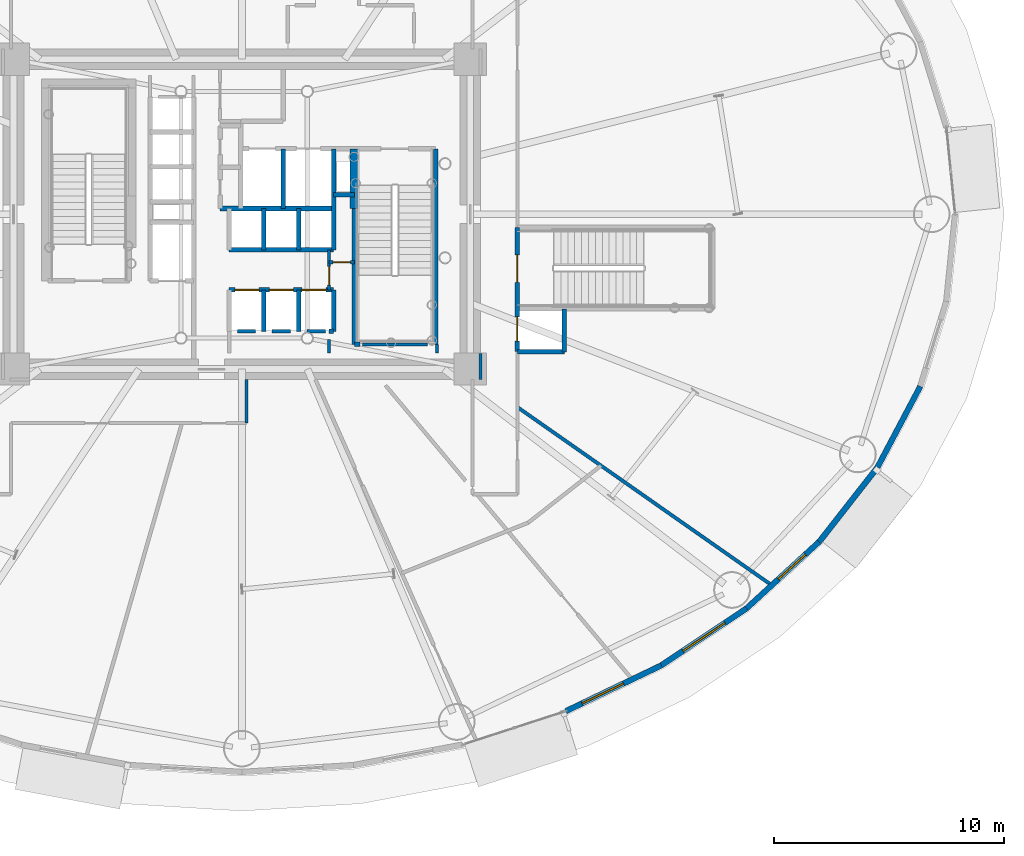
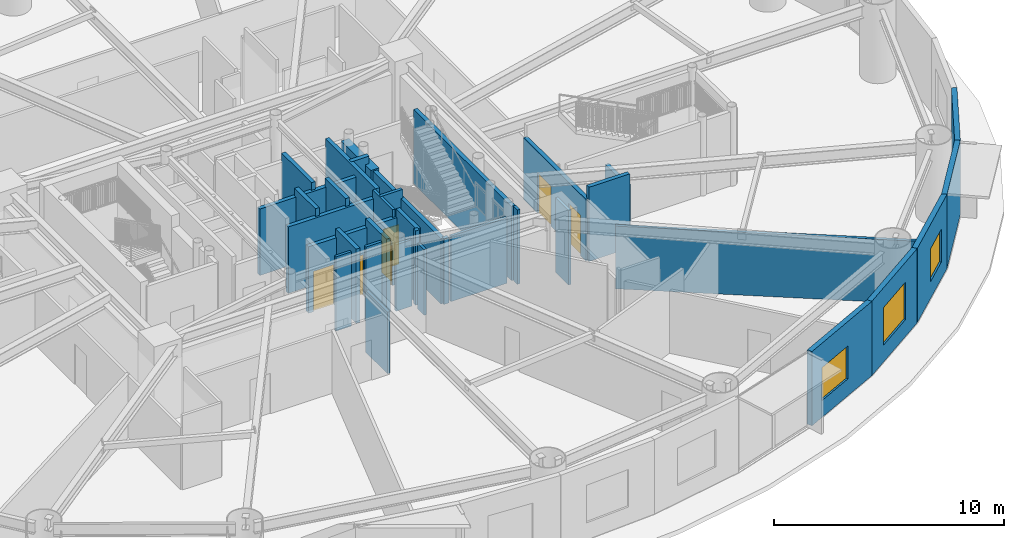
# One storey, part 21 of 35: 35 walls, 7 doors, 3 windows, 10 openings.
"""IFC4 building model written with IfcOpenShell, lengths in metres."""

from ifc_helpers import new_model, si_unit, direction, frame, frame_2d, origin, origin_2d, place, context, subcontext, project, spatial, rectangle, extrude, source, transform, mapped, material, layer, layer_set, type_object, element, fill, save


model = new_model("IFC4")

# Units and contexts
model_context = context("Model", 3, precision=1e-05, world=origin(), true_north=direction((0.0, 1.0)))
body_context = subcontext(model_context, "Body", "Model", "MODEL_VIEW")
ifc_project = project(units=[si_unit("LENGTHUNIT", "METRE"), si_unit("AREAUNIT", "SQUARE_METRE"), si_unit("VOLUMEUNIT", "CUBIC_METRE"), si_unit("PLANEANGLEUNIT", "RADIAN"), si_unit("MASSUNIT", "GRAM", prefix="KILO")], contexts=[model_context])

# Site, building, storey
site_placement = place(None, origin())
site = spatial("IfcSite", under=ifc_project, at=site_placement, CompositionType="ELEMENT")
building_placement = place(site_placement, origin())
building = spatial("IfcBuilding", under=site, at=building_placement, Name="Linh Dai School and Residence Tower", CompositionType="ELEMENT")
storey_placement = place(building_placement, frame((0.0, 0.0, 32.39990234375)))
storey = spatial("IfcBuildingStorey", under=building, at=storey_placement, Name="L07", CompositionType="ELEMENT", Elevation=32.39990234375)

# Wall, opening, window
ifc_material_1 = material(Name="Precast Concrete B45 (C35/45)", Category="concrete")
ifc_layer_1 = layer(ifc_material_1, 0.25)
ifc_layer_set_1 = layer_set([ifc_layer_1], Name="Precast Concrete B45 (C35/45)")
wall_type_1 = type_object("IfcWallType", Name="EW-TC-250", PredefinedType="SOLIDWALL", material=ifc_layer_set_1)
wall_1_placement = place(storey_placement, frame((54.277099609375, 7.34423828125, 0.0), z_axis=(0.0, 0.0, 1.0), x_axis=(-0.901601503137, -0.432567601123, 0.0)))
wall_1 = element("IfcWall", 1, at=wall_1_placement, inside=storey, type_object=wall_type_1, Name="L07 Terracotta Exterior Wall 34", PredefinedType="SOLIDWALL", context=body_context, shape_type="SweptSolid", body=[
    extrude(rectangle(XDim=4.61279296875, YDim=0.25, at=frame_2d((2.306396484375, 0.0))), origin(), (0.0, 0.0, 1.0), 3.9501953125),
])
opening_1_placement = place(wall_1_placement, frame((1.83349609375, 0.0, 0.89990234375)))
opening_1 = element("IfcOpeningElement", 2, at=opening_1_placement, cuts=wall_1, Name="Opening W1", PredefinedType="OPENING", context=body_context, shape_type="SweptSolid", body=[
    extrude(rectangle(XDim=2.0, YDim=1.75, at=origin_2d()), frame((1.0, 0.135009765625, 0.875), z_axis=(0.0, -1.0, 0.0), x_axis=(1.0, 0.0, 0.0)), (0.0, 0.0, 1.0), 0.27001953125),
])
ifc_material_2 = material(Name="Double Low-E Insulated Glazing", Category="glass")
window_type_1 = type_object("IfcWindowType", Name="WN-RES-2000x1750", PartitioningType="DOUBLE_PANEL_VERTICAL", PredefinedType="WINDOW", material=ifc_material_2)
shared_shape_1 = source(origin(), body_context, "Body", "SweptSolid", [
    extrude(rectangle(XDim=2.0, YDim=1.75, at=origin_2d()), frame((1.0, 0.030029296875, 0.875), z_axis=(0.0, -1.0, 0.0), x_axis=(1.0, 0.0, 0.0)), (0.0, 0.0, 1.0), 0.06005859375),
])
window_1_placement = place(opening_1_placement, origin())
window_1 = element("IfcWindow", 3, at=window_1_placement, inside=storey, type_object=window_type_1, Name="L07 Exterior Window 34.1", OverallHeight=1.75, OverallWidth=2.0, PartitioningType="DOUBLE_PANEL_VERTICAL", PredefinedType="WINDOW", context=body_context, shape_type="MappedRepresentation", body=[
    mapped(shared_shape_1, transform((0.0, 0.0, 0.0), x_axis=(1.0, 0.0, 0.0), y_axis=(0.0, 1.0, 0.0), z_axis=(0.0, 0.0, 1.0), scale=1.0)),
])
fill(opening_1, window_1)

wall_2_placement = place(storey_placement, frame((57.984619140625, 9.82373046875, 0.0), z_axis=(0.0, 0.0, 1.0), x_axis=(-0.831240982525, -0.555912249343, 0.0)))
wall_2 = element("IfcWall", 4, at=wall_2_placement, inside=storey, type_object=wall_type_1, Name="L07 Terracotta Exterior Wall 35", PredefinedType="SOLIDWALL", context=body_context, shape_type="SweptSolid", body=[
    extrude(rectangle(XDim=4.460205078125, YDim=0.25, at=frame_2d((2.22998046875, 0.0))), origin(), (0.0, 0.0, 1.0), 3.9501953125),
])
opening_2_placement = place(wall_2_placement, frame((1.13037109375, 0.0, 0.89990234375)))
opening_2 = element("IfcOpeningElement", 5, at=opening_2_placement, cuts=wall_2, Name="Opening W4", PredefinedType="OPENING", context=body_context, shape_type="SweptSolid", body=[
    extrude(rectangle(XDim=2.199951171875, YDim=2.0, at=origin_2d()), frame((1.10009765625, 0.135009765625, 1.0), z_axis=(0.0, -1.0, 0.0), x_axis=(1.0, 0.0, 0.0)), (0.0, 0.0, 1.0), 0.27001953125),
])
ifc_material_3 = material(Name="Acoustic Laminated Low-E Glazing", Category="glass")
window_type_2 = type_object("IfcWindowType", Name="WN-SCH-2200x2000", PartitioningType="TRIPLE_PANEL_VERTICAL", PredefinedType="WINDOW", material=ifc_material_3)
shared_shape_2 = source(origin(), body_context, "Body", "SweptSolid", [
    extrude(rectangle(XDim=2.199951171875, YDim=2.0, at=origin_2d()), frame((1.10009765625, 0.030029296875, 1.0), z_axis=(0.0, -1.0, 0.0), x_axis=(1.0, 0.0, 0.0)), (0.0, 0.0, 1.0), 0.06005859375),
])
window_2_placement = place(opening_2_placement, origin())
window_2 = element("IfcWindow", 6, at=window_2_placement, inside=storey, type_object=window_type_2, Name="L07 Exterior Window 35.1", OverallHeight=2.0, OverallWidth=2.199951171875, PartitioningType="TRIPLE_PANEL_VERTICAL", PredefinedType="WINDOW", context=body_context, shape_type="MappedRepresentation", body=[
    mapped(shared_shape_2, transform((0.0, 0.0, 0.0), x_axis=(1.0, 0.0, 0.0), y_axis=(0.0, 1.0, 0.0), z_axis=(0.0, 0.0, 1.0), scale=1.0)),
])
fill(opening_2, window_2)

wall_3_placement = place(storey_placement, frame((61.149658203125, 12.725341796875, 0.0), z_axis=(0.0, 0.0, 1.0), x_axis=(-0.737116376281, -0.67576582321, 0.0)))
wall_3 = element("IfcWall", 7, at=wall_3_placement, inside=storey, type_object=wall_type_1, Name="L07 Terracotta Exterior Wall 36", PredefinedType="SOLIDWALL", context=body_context, shape_type="SweptSolid", body=[
    extrude(rectangle(XDim=4.293701171875, YDim=0.25, at=frame_2d((2.14697265625, 0.0))), origin(), (0.0, 0.0, 1.0), 3.9501953125),
])
opening_3_placement = place(wall_3_placement, frame((0.80810546875, 0.0, 0.89990234375)))
opening_3 = element("IfcOpeningElement", 8, at=opening_3_placement, cuts=wall_3, Name="Opening W2", PredefinedType="OPENING", context=body_context, shape_type="SweptSolid", body=[
    extrude(rectangle(XDim=1.60009765625, YDim=1.75, at=origin_2d()), frame((0.800048828125, 0.135009765625, 0.875), z_axis=(0.0, -1.0, 0.0), x_axis=(1.0, 0.0, 0.0)), (0.0, 0.0, 1.0), 0.27001953125),
])
window_type_3 = type_object("IfcWindowType", Name="WN-RES-1600x1750", PartitioningType="DOUBLE_PANEL_VERTICAL", PredefinedType="WINDOW", material=ifc_material_2)
shared_shape_3 = source(origin(), body_context, "Body", "SweptSolid", [
    extrude(rectangle(XDim=1.60009765625, YDim=1.75, at=origin_2d()), frame((0.800048828125, 0.030029296875, 0.875), z_axis=(0.0, -1.0, 0.0), x_axis=(1.0, 0.0, 0.0)), (0.0, 0.0, 1.0), 0.06005859375),
])
window_3_placement = place(opening_3_placement, origin())
window_3 = element("IfcWindow", 9, at=window_3_placement, inside=storey, type_object=window_type_3, Name="L07 Exterior Window 36.1", OverallHeight=1.75, OverallWidth=1.60009765625, PartitioningType="DOUBLE_PANEL_VERTICAL", PredefinedType="WINDOW", context=body_context, shape_type="MappedRepresentation", body=[
    mapped(shared_shape_3, transform((0.0, 0.0, 0.0), x_axis=(1.0, 0.0, 0.0), y_axis=(0.0, 1.0, 0.0), z_axis=(0.0, 0.0, 1.0), scale=1.0)),
])
fill(opening_3, window_3)

# Walls
wall_4_placement = place(storey_placement, frame((63.694580078125, 15.977294921875, 0.0), z_axis=(0.0, 0.0, 1.0), x_axis=(-0.616295508253, -0.787514981767, 0.0)))
element("IfcWall", 10, at=wall_4_placement, inside=storey, type_object=wall_type_1, Name="L07 Terracotta Exterior Wall 37", PredefinedType="SOLIDWALL", context=body_context, shape_type="SweptSolid", body=[
    extrude(rectangle(XDim=4.12939453125, YDim=0.25, at=frame_2d((2.064697265625, 0.0))), origin(), (0.0, 0.0, 1.0), 3.9501953125),
])
wall_5_placement = place(storey_placement, frame((65.5576171875, 19.49853515625, 0.0), z_axis=(0.0, 0.0, 1.0), x_axis=(-0.467662443071, -0.883907144072, 0.0)))
element("IfcWall", 11, at=wall_5_placement, inside=storey, type_object=wall_type_1, Name="L07 Terracotta Exterior Wall 38", PredefinedType="SOLIDWALL", context=body_context, shape_type="SweptSolid", body=[
    extrude(rectangle(XDim=3.983642578125, YDim=0.25, at=frame_2d((1.99169921875, 0.0))), origin(), (0.0, 0.0, 1.0), 3.9501953125),
])
ifc_material_4 = material(Name="Autoclaved Aerated Concrete Blockwork", Category="masonry")
ifc_layer_2 = layer(ifc_material_4, 0.135009765625)
ifc_layer_set_2 = layer_set([ifc_layer_2], Name="Autoclaved Aerated Concrete Blockwork")
wall_type_2 = type_object("IfcWallType", Name="IW-CORR-135-EI90", PredefinedType="PARTITIONING", material=ifc_layer_set_2)
wall_6_placement = place(storey_placement, frame((36.199951171875, 17.89990234375, 0.0), z_axis=(0.0, 0.0, 1.0), x_axis=(0.0, 1.0, 0.0)))
element("IfcWall", 12, at=wall_6_placement, inside=storey, type_object=wall_type_2, Name="L07 Interior Partition Wall 039", PredefinedType="PARTITIONING", context=body_context, shape_type="SweptSolid", body=[
    extrude(rectangle(XDim=1.900146484375, YDim=0.135009765625, at=frame_2d((0.9501953125, 0.0))), origin(), (0.0, 0.0, 1.0), 3.28515625),
])

# Wall, opening, door
wall_7_placement = place(storey_placement, frame((39.800048828125, 23.699951171875, 0.0), z_axis=(0.0, 0.0, 1.0), x_axis=(0.0, 1.0, 0.0)))
wall_7 = element("IfcWall", 13, at=wall_7_placement, inside=storey, type_object=wall_type_2, Name="L07 Interior Partition Wall 048", PredefinedType="PARTITIONING", context=body_context, shape_type="SweptSolid", body=[
    extrude(rectangle(XDim=1.75, YDim=0.135009765625, at=frame_2d((0.875, 0.0))), origin(), (0.0, 0.0, 1.0), 3.9501953125),
])
opening_4_placement = place(wall_7_placement, frame((0.2099609375, 0.0, 0.0)))
opening_4 = element("IfcOpeningElement", 14, at=opening_4_placement, cuts=wall_7, Name="Opening D06", PredefinedType="OPENING", context=body_context, shape_type="SweptSolid", body=[
    extrude(rectangle(XDim=0.820068359375, YDim=2.10009765625, at=origin_2d()), frame((0.41015625, 0.07763671875, 1.050048828125), z_axis=(0.0, -1.0, 0.0), x_axis=(1.0, 0.0, 0.0)), (0.0, 0.0, 1.0), 0.155029296875),
])
ifc_material_5 = material(Name="Moisture-Resistant Timber Bathroom Door", Category="wood")
door_type_1 = type_object("IfcDoorType", Name="DR-WET-820x2100", OperationType="NOTDEFINED", PredefinedType="DOOR", material=ifc_material_5)
shared_shape_4 = source(origin(), body_context, "Body", "SweptSolid", [
    extrude(rectangle(XDim=0.820068359375, YDim=2.10009765625, at=origin_2d()), frame((0.41015625, 0.02490234375, 1.050048828125), z_axis=(0.0, -1.0, 0.0), x_axis=(1.0, 0.0, 0.0)), (0.0, 0.0, 1.0), 0.050048828125),
])
door_1_placement = place(opening_4_placement, origin())
door_1 = element("IfcDoor", 15, at=door_1_placement, inside=storey, type_object=door_type_1, Name="L07 SE Electrical Closet Door", OperationType="SINGLE_SWING_RIGHT", OverallHeight=2.10009765625, OverallWidth=0.820068359375, PredefinedType="DOOR", context=body_context, shape_type="MappedRepresentation", body=[
    mapped(shared_shape_4, transform((0.0, 0.0, 0.0), x_axis=(1.0, 0.0, 0.0), y_axis=(0.0, 1.0, 0.0), z_axis=(0.0, 0.0, 1.0), scale=1.0)),
])
fill(opening_4, door_1)

# Walls
wall_8_placement = place(storey_placement, frame((44.080078125, 21.330078125, 0.0), z_axis=(0.0, 0.0, 1.0), x_axis=(-1.0, 0.0, 0.0)))
element("IfcWall", 16, at=wall_8_placement, inside=storey, type_object=wall_type_2, Name="L07 Interior Partition Wall 071", PredefinedType="PARTITIONING", context=body_context, shape_type="SweptSolid", body=[
    extrude(rectangle(XDim=2.820068359375, YDim=0.135009765625, at=frame_2d((1.41015625, 0.0))), origin(), (0.0, 0.0, 1.0), 3.485107421875),
])
wall_9_placement = place(storey_placement, frame((36.60009765625, 21.89990234375, 0.0), z_axis=(0.0, 0.0, 1.0), x_axis=(-1.0, 0.0, 0.0)))
element("IfcWall", 17, at=wall_9_placement, inside=storey, type_object=wall_type_2, Name="L07 Interior Partition Wall 072", PredefinedType="PARTITIONING", context=body_context, shape_type="SweptSolid", body=[
    extrude(rectangle(XDim=0.7900390625, YDim=0.135009765625, at=frame_2d((0.39501953125, 0.0))), origin(), (0.0, 0.0, 1.0), 3.9501953125),
])
wall_10_placement = place(storey_placement, frame((38.1201171875, 21.89990234375, 0.0), z_axis=(0.0, 0.0, 1.0), x_axis=(-1.0, 0.0, 0.0)))
element("IfcWall", 18, at=wall_10_placement, inside=storey, type_object=wall_type_2, Name="L07 Interior Partition Wall 073", PredefinedType="PARTITIONING", context=body_context, shape_type="SweptSolid", body=[
    extrude(rectangle(XDim=0.800048828125, YDim=0.135009765625, at=frame_2d((0.39990234375, 0.0))), origin(), (0.0, 0.0, 1.0), 3.9501953125),
])
wall_11_placement = place(storey_placement, frame((39.639892578125, 21.89990234375, 0.0), z_axis=(0.0, 0.0, 1.0), x_axis=(-1.0, 0.0, 0.0)))
element("IfcWall", 19, at=wall_11_placement, inside=storey, type_object=wall_type_2, Name="L07 Interior Partition Wall 074", PredefinedType="PARTITIONING", context=body_context, shape_type="SweptSolid", body=[
    extrude(rectangle(XDim=0.7998046875, YDim=0.135009765625, at=frame_2d((0.39990234375, 0.0))), origin(), (0.0, 0.0, 1.0), 3.53515625),
])
wall_12_placement = place(storey_placement, frame((39.800048828125, 20.9599609375, 0.0), z_axis=(0.0, 0.0, 1.0), x_axis=(0.0, 1.0, 0.0)))
element("IfcWall", 20, at=wall_12_placement, inside=storey, type_object=wall_type_2, Name="L07 Interior Partition Wall 076", PredefinedType="PARTITIONING", context=body_context, shape_type="SweptSolid", body=[
    extrude(rectangle(XDim=0.580078125, YDim=0.135009765625, at=frame_2d((0.2900390625, 0.0))), origin(), (0.0, 0.0, 1.0), 3.485107421875),
])
wall_13_placement = place(storey_placement, frame((44.5, 20.9599609375, 0.0), z_axis=(0.0, 0.0, 1.0), x_axis=(0.0, 1.0, 0.0)))
element("IfcWall", 21, at=wall_13_placement, inside=storey, type_object=wall_type_2, Name="L07 Interior Partition Wall 078", PredefinedType="PARTITIONING", context=body_context, shape_type="SweptSolid", body=[
    extrude(rectangle(XDim=0.360107421875, YDim=0.135009765625, at=frame_2d((0.18017578125, 0.0))), origin(), (0.0, 0.0, 1.0), 3.9501953125),
])
wall_14_placement = place(storey_placement, frame((46.39990234375, 19.800048828125, 0.0), z_axis=(0.0, 0.0, 1.0), x_axis=(0.0, 1.0, 0.0)))
element("IfcWall", 22, at=wall_14_placement, inside=storey, type_object=wall_type_2, Name="L07 Interior Partition Wall 082", PredefinedType="PARTITIONING", context=body_context, shape_type="SweptSolid", body=[
    extrude(rectangle(XDim=1.139892578125, YDim=0.135009765625, at=frame_2d((0.56982421875, 0.0))), origin(), (0.0, 0.0, 1.0), 3.9501953125),
])

# Wall, opening, door
ifc_layer_3 = layer(ifc_material_4, 0.14990234375)
ifc_layer_set_3 = layer_set([ifc_layer_3], Name="Autoclaved Aerated Concrete Blockwork")
wall_type_3 = type_object("IfcWallType", Name="IW-SCH-150-EI60", PredefinedType="PARTITIONING", material=ifc_layer_set_3)
wall_15_placement = place(storey_placement, frame((39.800048828125, 24.89990234375, 0.0), z_axis=(0.0, 0.0, 1.0), x_axis=(1.0, 0.0, 0.0)))
wall_15 = element("IfcWall", 23, at=wall_15_placement, inside=storey, type_object=wall_type_3, Name="L07 Interior Partition Wall 049", PredefinedType="PARTITIONING", context=body_context, shape_type="SweptSolid", body=[
    extrude(rectangle(XDim=1.099853515625, YDim=0.14990234375, at=frame_2d((0.5498046875, 0.0))), origin(), (0.0, 0.0, 1.0), 3.9501953125),
])
opening_5_placement = place(wall_15_placement, frame((0.169921875, 0.0, 0.0)))
opening_5 = element("IfcOpeningElement", 24, at=opening_5_placement, cuts=wall_15, Name="Opening D08", PredefinedType="OPENING", context=body_context, shape_type="SweptSolid", body=[
    extrude(rectangle(XDim=0.760009765625, YDim=2.10009765625, at=origin_2d()), frame((0.3798828125, 0.0849609375, 1.050048828125), z_axis=(0.0, -1.0, 0.0), x_axis=(1.0, 0.0, 0.0)), (0.0, 0.0, 1.0), 0.169921875),
])
ifc_material_6 = material(Name="Engineered Timber Closet and Study Door", Category="wood")
door_type_2 = type_object("IfcDoorType", Name="DR-CMP-760x2100", OperationType="NOTDEFINED", PredefinedType="DOOR", material=ifc_material_6)
shared_shape_5 = source(origin(), body_context, "Body", "SweptSolid", [
    extrude(rectangle(XDim=0.760009765625, YDim=2.10009765625, at=origin_2d()), frame((0.3798828125, 0.02490234375, 1.050048828125), z_axis=(0.0, -1.0, 0.0), x_axis=(1.0, 0.0, 0.0)), (0.0, 0.0, 1.0), 0.050048828125),
])
door_2_placement = place(opening_5_placement, origin())
door_2 = element("IfcDoor", 25, at=door_2_placement, inside=storey, type_object=door_type_2, Name="L07 NE Equipment Store Door", OperationType="SINGLE_SWING_LEFT", OverallHeight=2.10009765625, OverallWidth=0.760009765625, PredefinedType="DOOR", context=body_context, shape_type="MappedRepresentation", body=[
    mapped(shared_shape_5, transform((0.0, 0.0, 0.0), x_axis=(1.0, 0.0, 0.0), y_axis=(0.0, 1.0, 0.0), z_axis=(0.0, 0.0, 1.0), scale=1.0)),
])
fill(opening_5, door_2)

# Walls
wall_16_placement = place(storey_placement, frame((48.0, 18.597412109375, 0.0), z_axis=(0.0, 0.0, 1.0), x_axis=(0.819149742045, -0.573579724283, 0.0)))
element("IfcWall", 26, at=wall_16_placement, inside=storey, type_object=wall_type_3, Name="L07 Interior Partition Wall 062", PredefinedType="PARTITIONING", context=body_context, shape_type="SweptSolid", body=[
    extrude(rectangle(XDim=13.539794921875, YDim=0.14990234375, at=frame_2d((6.77001953125, 0.0))), origin(), (0.0, 0.0, 1.0), 3.335205078125),
])
ifc_material_7 = material(Name="Concrete B45 (C35/45)", Category="concrete")
ifc_layer_4 = layer(ifc_material_7, 0.199951171875)
ifc_layer_set_4 = layer_set([ifc_layer_4], Name="Concrete B45 (C35/45)")
wall_type_4 = type_object("IfcWallType", Name="IW-SHAFT-200-EI120", PredefinedType="PARTITIONING", material=ifc_layer_set_4)
wall_17_placement = place(storey_placement, frame((35.050048828125, 27.25, 0.0), z_axis=(0.0, 0.0, 1.0), x_axis=(1.0, 0.0, 0.0)))
element("IfcWall", 27, at=wall_17_placement, inside=storey, type_object=wall_type_4, Name="L07 Interior Partition Wall 027", PredefinedType="PARTITIONING", context=body_context, shape_type="SweptSolid", body=[
    extrude(rectangle(XDim=4.949951171875, YDim=0.199951171875, at=frame_2d((2.47509765625, 0.0))), origin(), (0.0, 0.0, 1.0), 3.53515625),
])

# Wall, openings, doors
wall_18_placement = place(storey_placement, frame((35.449951171875, 23.699951171875, 0.0), z_axis=(0.0, 0.0, 1.0), x_axis=(1.0, 0.0, 0.0)))
wall_18 = element("IfcWall", 28, at=wall_18_placement, inside=storey, type_object=wall_type_4, Name="L07 Interior Partition Wall 033", PredefinedType="PARTITIONING", context=body_context, shape_type="SweptSolid", body=[
    extrude(rectangle(XDim=4.550048828125, YDim=0.199951171875, at=frame_2d((2.27490234375, 0.0))), origin(), (0.0, 0.0, 1.0), 3.53515625),
])
opening_6_placement = place(wall_18_placement, frame((0.25, 0.0, 0.0)))
opening_6 = element("IfcOpeningElement", 29, at=opening_6_placement, cuts=wall_18, Name="Opening LD-PL1", PredefinedType="OPENING", context=body_context, shape_type="SweptSolid", body=[
    extrude(rectangle(XDim=1.050048828125, YDim=2.14990234375, at=origin_2d()), frame((0.52490234375, 0.10986328125, 1.074951171875), z_axis=(0.0, -1.0, 0.0), x_axis=(1.0, 0.0, 0.0)), (0.0, 0.0, 1.0), 0.219970703125),
])
opening_7_placement = place(wall_18_placement, frame((1.7451171875, 0.0, 0.0)))
opening_7 = element("IfcOpeningElement", 30, at=opening_7_placement, cuts=wall_18, Name="Opening LD-PL2", PredefinedType="OPENING", context=body_context, shape_type="SweptSolid", body=[
    extrude(rectangle(XDim=1.050048828125, YDim=2.14990234375, at=origin_2d()), frame((0.52490234375, 0.10986328125, 1.074951171875), z_axis=(0.0, -1.0, 0.0), x_axis=(1.0, 0.0, 0.0)), (0.0, 0.0, 1.0), 0.219970703125),
])
opening_8_placement = place(wall_18_placement, frame((3.1650390625, 0.0, 0.0)))
opening_8 = element("IfcOpeningElement", 31, at=opening_8_placement, cuts=wall_18, Name="Opening LD-PL3", PredefinedType="OPENING", context=body_context, shape_type="SweptSolid", body=[
    extrude(rectangle(XDim=1.050048828125, YDim=2.14990234375, at=origin_2d()), frame((0.52490234375, 0.10986328125, 1.074951171875), z_axis=(0.0, -1.0, 0.0), x_axis=(1.0, 0.0, 0.0)), (0.0, 0.0, 1.0), 0.219970703125),
])
ifc_material_8 = material(Name="Brushed Stainless Steel Lift Landing Door", Category="steel")
door_type_3 = type_object("IfcDoorType", Name="DR-LD-PASS-1050x2150", OperationType="DOUBLE_DOOR_SLIDING", PredefinedType="USERDEFINED", material=ifc_material_8)
shared_shape_6 = source(origin(), body_context, "Body", "SweptSolid", [
    extrude(rectangle(XDim=1.050048828125, YDim=2.14990234375, at=origin_2d()), frame((0.52490234375, 0.02490234375, 1.074951171875), z_axis=(0.0, -1.0, 0.0), x_axis=(1.0, 0.0, 0.0)), (0.0, 0.0, 1.0), 0.050048828125),
])
door_3_placement = place(opening_6_placement, origin())
door_3 = element("IfcDoor", 32, at=door_3_placement, inside=storey, type_object=door_type_3, Name="L07 Lift PL1 Sliding Landing Door", ObjectType="LANDING DOOR", OperationType="DOUBLE_DOOR_SLIDING", OverallHeight=2.14990234375, OverallWidth=1.050048828125, PredefinedType="USERDEFINED", context=body_context, shape_type="MappedRepresentation", body=[
    mapped(shared_shape_6, transform((0.0, 0.0, 0.0), x_axis=(1.0, 0.0, 0.0), y_axis=(0.0, 1.0, 0.0), z_axis=(0.0, 0.0, 1.0), scale=1.0)),
])
fill(opening_6, door_3)
door_4_placement = place(opening_7_placement, origin())
door_4 = element("IfcDoor", 33, at=door_4_placement, inside=storey, type_object=door_type_3, Name="L07 Lift PL2 Sliding Landing Door", ObjectType="LANDING DOOR", OperationType="DOUBLE_DOOR_SLIDING", OverallHeight=2.14990234375, OverallWidth=1.050048828125, PredefinedType="USERDEFINED", context=body_context, shape_type="MappedRepresentation", body=[
    mapped(shared_shape_6, transform((0.0, 0.0, 0.0), x_axis=(1.0, 0.0, 0.0), y_axis=(0.0, 1.0, 0.0), z_axis=(0.0, 0.0, 1.0), scale=1.0)),
])
fill(opening_7, door_4)
door_5_placement = place(opening_8_placement, origin())
door_5 = element("IfcDoor", 34, at=door_5_placement, inside=storey, type_object=door_type_3, Name="L07 Lift PL3 Sliding Landing Door", ObjectType="LANDING DOOR", OperationType="DOUBLE_DOOR_SLIDING", OverallHeight=2.14990234375, OverallWidth=1.050048828125, PredefinedType="USERDEFINED", context=body_context, shape_type="MappedRepresentation", body=[
    mapped(shared_shape_6, transform((0.0, 0.0, 0.0), x_axis=(1.0, 0.0, 0.0), y_axis=(0.0, 1.0, 0.0), z_axis=(0.0, 0.0, 1.0), scale=1.0)),
])
fill(opening_8, door_5)

# Walls
wall_19_placement = place(storey_placement, frame((35.449951171875, 25.449951171875, 0.0), z_axis=(0.0, 0.0, 1.0), x_axis=(1.0, 0.0, 0.0)))
element("IfcWall", 35, at=wall_19_placement, inside=storey, type_object=wall_type_4, Name="L07 Interior Partition Wall 035", PredefinedType="PARTITIONING", context=body_context, shape_type="SweptSolid", body=[
    extrude(rectangle(XDim=4.550048828125, YDim=0.199951171875, at=frame_2d((2.27490234375, 0.0))), origin(), (0.0, 0.0, 1.0), 3.53515625),
])
for number, where, z_axis, x_axis, name in (
    (36, (36.9599609375, 21.89990234375, 0.0), (0.0, 0.0, 1.0), (0.0, 1.0, 0.0), "L07 Interior Partition Wall 040"),
    (37, (36.9599609375, 25.449951171875, 0.0), (0.0, 0.0, 1.0), (0.0, 1.0, 0.0), "L07 Interior Partition Wall 041"),
):
    element("IfcWall", number, at=place(storey_placement, frame(where, z_axis=z_axis, x_axis=x_axis)), inside=storey, type_object=wall_type_4, Name=name, PredefinedType="PARTITIONING", context=body_context, shape_type="SweptSolid", body=[
        extrude(rectangle(XDim=1.800048828125, YDim=0.199951171875, at=frame_2d((0.89990234375, 0.0))), origin(), (0.0, 0.0, 1.0), 3.9501953125),
    ])
wall_20_placement = place(storey_placement, frame((37.800048828125, 27.25, 0.0), z_axis=(0.0, 0.0, 1.0), x_axis=(0.0, 1.0, 0.0)))
element("IfcWall", 38, at=wall_20_placement, inside=storey, type_object=wall_type_4, Name="L07 Interior Partition Wall 042", PredefinedType="PARTITIONING", context=body_context, shape_type="SweptSolid", body=[
    extrude(rectangle(XDim=2.60009765625, YDim=0.199951171875, at=frame_2d((1.300048828125, 0.0))), origin(), (0.0, 0.0, 1.0), 3.9501953125),
])
for number, where, z_axis, x_axis, name in (
    (39, (38.47998046875, 21.89990234375, 0.0), (0.0, 0.0, 1.0), (0.0, 1.0, 0.0), "L07 Interior Partition Wall 044"),
    (40, (38.47998046875, 25.449951171875, 0.0), (0.0, 0.0, 1.0), (0.0, 1.0, 0.0), "L07 Interior Partition Wall 045"),
):
    element("IfcWall", number, at=place(storey_placement, frame(where, z_axis=z_axis, x_axis=x_axis)), inside=storey, type_object=wall_type_4, Name=name, PredefinedType="PARTITIONING", context=body_context, shape_type="SweptSolid", body=[
        extrude(rectangle(XDim=1.800048828125, YDim=0.199951171875, at=frame_2d((0.89990234375, 0.0))), origin(), (0.0, 0.0, 1.0), 3.9501953125),
    ])
wall_21_placement = place(storey_placement, frame((39.800048828125, 21.89990234375, 0.0), z_axis=(0.0, 0.0, 1.0), x_axis=(1.0, 0.0, 0.0)))
element("IfcWall", 41, at=wall_21_placement, inside=storey, type_object=wall_type_4, Name="L07 Interior Partition Wall 047", PredefinedType="PARTITIONING", context=body_context, shape_type="SweptSolid", body=[
    extrude(rectangle(XDim=0.199951171875, YDim=0.199951171875, at=frame_2d((0.10009765625, 0.0))), origin(), (0.0, 0.0, 1.0), 3.9501953125),
])
wall_22_placement = place(storey_placement, frame((40.0, 21.89990234375, 0.0), z_axis=(0.0, 0.0, 1.0), x_axis=(0.0, 1.0, 0.0)))
element("IfcWall", 42, at=wall_22_placement, inside=storey, type_object=wall_type_4, Name="L07 Interior Partition Wall 050", PredefinedType="PARTITIONING", context=body_context, shape_type="SweptSolid", body=[
    extrude(rectangle(XDim=1.800048828125, YDim=0.199951171875, at=frame_2d((0.89990234375, 0.0))), origin(), (0.0, 0.0, 1.0), 3.9501953125),
])
wall_23_placement = place(storey_placement, frame((40.0, 25.449951171875, 0.0), z_axis=(0.0, 0.0, 1.0), x_axis=(0.0, 1.0, 0.0)))
element("IfcWall", 43, at=wall_23_placement, inside=storey, type_object=wall_type_4, Name="L07 Interior Partition Wall 051", PredefinedType="PARTITIONING", context=body_context, shape_type="SweptSolid", body=[
    extrude(rectangle(XDim=4.400146484375, YDim=0.199951171875, at=frame_2d((2.2001953125, 0.0))), origin(), (0.0, 0.0, 1.0), 3.9501953125),
])
wall_24_placement = place(storey_placement, frame((40.0, 27.85009765625, 0.0), z_axis=(0.0, 0.0, 1.0), x_axis=(1.0, 0.0, 0.0)))
element("IfcWall", 44, at=wall_24_placement, inside=storey, type_object=wall_type_4, Name="L07 Interior Partition Wall 052", PredefinedType="PARTITIONING", context=body_context, shape_type="SweptSolid", body=[
    extrude(rectangle(XDim=0.89990234375, YDim=0.199951171875, at=frame_2d((0.449951171875, 0.0))), origin(), (0.0, 0.0, 1.0), 3.9501953125),
])
wall_25_placement = place(storey_placement, frame((40.89990234375, 21.330078125, 0.0), z_axis=(0.0, 0.0, 1.0), x_axis=(0.0, 1.0, 0.0)))
element("IfcWall", 45, at=wall_25_placement, inside=storey, type_object=wall_type_4, Name="L07 Interior Partition Wall 053", PredefinedType="PARTITIONING", context=body_context, shape_type="SweptSolid", body=[
    extrude(rectangle(XDim=5.909912109375, YDim=0.199951171875, at=frame_2d((2.955078125, 0.0))), origin(), (0.0, 0.0, 1.0), 3.485107421875),
])
wall_26_placement = place(storey_placement, frame((40.89990234375, 21.330078125, 0.0), z_axis=(0.0, 0.0, 1.0), x_axis=(1.0, 0.0, 0.0)))
element("IfcWall", 46, at=wall_26_placement, inside=storey, type_object=wall_type_4, Name="L07 Interior Partition Wall 054", PredefinedType="PARTITIONING", context=body_context, shape_type="SweptSolid", body=[
    extrude(rectangle(XDim=0.25, YDim=0.199951171875, at=frame_2d((0.125, 0.0))), origin(), (0.0, 0.0, 1.0), 3.485107421875),
])
wall_27_placement = place(storey_placement, frame((44.43994140625, 21.330078125, 0.0), z_axis=(0.0, 0.0, 1.0), x_axis=(0.0, 1.0, 0.0)))
element("IfcWall", 47, at=wall_27_placement, inside=storey, type_object=wall_type_4, Name="L07 Interior Partition Wall 057", PredefinedType="PARTITIONING", context=body_context, shape_type="SweptSolid", body=[
    extrude(rectangle(XDim=8.52001953125, YDim=0.199951171875, at=frame_2d((4.260009765625, 0.0))), origin(), (0.0, 0.0, 1.0), 3.9501953125),
])

# Wall, openings, doors
wall_28_placement = place(storey_placement, frame((48.0, 21.010009765625, 0.0), z_axis=(0.0, 0.0, 1.0), x_axis=(0.0, 1.0, 0.0)))
wall_28 = element("IfcWall", 48, at=wall_28_placement, inside=storey, type_object=wall_type_4, Name="L07 Interior Partition Wall 063", PredefinedType="PARTITIONING", context=body_context, shape_type="SweptSolid", body=[
    extrude(rectangle(XDim=5.409912109375, YDim=0.199951171875, at=frame_2d((2.705078125, 0.0))), origin(), (0.0, 0.0, 1.0), 3.28515625),
])
opening_9_placement = place(wall_28_placement, frame((3.02001953125, 0.0, 0.0)))
opening_9 = element("IfcOpeningElement", 49, at=opening_9_placement, cuts=wall_28, Name="Opening D01", PredefinedType="OPENING", context=body_context, shape_type="SweptSolid", body=[
    extrude(rectangle(XDim=1.199951171875, YDim=2.14990234375, at=origin_2d()), frame((0.60009765625, 0.10986328125, 1.074951171875), z_axis=(0.0, -1.0, 0.0), x_axis=(1.0, 0.0, 0.0)), (0.0, 0.0, 1.0), 0.219970703125),
])
opening_10_placement = place(wall_28_placement, frame((0.465087890625, 0.0, 0.0)))
opening_10 = element("IfcOpeningElement", 50, at=opening_10_placement, cuts=wall_28, Name="Opening LD-SL2", PredefinedType="OPENING", context=body_context, shape_type="SweptSolid", body=[
    extrude(rectangle(XDim=1.050048828125, YDim=2.14990234375, at=origin_2d()), frame((0.52490234375, 0.10986328125, 1.074951171875), z_axis=(0.0, -1.0, 0.0), x_axis=(1.0, 0.0, 0.0)), (0.0, 0.0, 1.0), 0.219970703125),
])
ifc_material_9 = material(Name="Fire-Rated Steel Door Leaf", Category="steel")
door_type_4 = type_object("IfcDoorType", Name="DR-STAIR-1200x2150-FD90S", OperationType="NOTDEFINED", PredefinedType="DOOR", material=ifc_material_9)
shared_shape_7 = source(origin(), body_context, "Body", "SweptSolid", [
    extrude(rectangle(XDim=1.199951171875, YDim=2.14990234375, at=origin_2d()), frame((0.60009765625, 0.02490234375, 1.074951171875), z_axis=(0.0, -1.0, 0.0), x_axis=(1.0, 0.0, 0.0)), (0.0, 0.0, 1.0), 0.050048828125),
])
door_6_placement = place(opening_9_placement, origin())
door_6 = element("IfcDoor", 51, at=door_6_placement, inside=storey, type_object=door_type_4, Name="L07 Exit Stair STS2 Door", OperationType="SINGLE_SWING_RIGHT", OverallHeight=2.14990234375, OverallWidth=1.199951171875, PredefinedType="DOOR", context=body_context, shape_type="MappedRepresentation", body=[
    mapped(shared_shape_7, transform((0.0, 0.0, 0.0), x_axis=(1.0, 0.0, 0.0), y_axis=(0.0, 1.0, 0.0), z_axis=(0.0, 0.0, 1.0), scale=1.0)),
])
fill(opening_9, door_6)
door_7_placement = place(opening_10_placement, origin())
door_7 = element("IfcDoor", 52, at=door_7_placement, inside=storey, type_object=door_type_3, Name="L07 Lift SL2 Sliding Landing Door", ObjectType="LANDING DOOR", OperationType="DOUBLE_DOOR_SLIDING", OverallHeight=2.14990234375, OverallWidth=1.050048828125, PredefinedType="USERDEFINED", context=body_context, shape_type="MappedRepresentation", body=[
    mapped(shared_shape_6, transform((0.0, 0.0, 0.0), x_axis=(1.0, 0.0, 0.0), y_axis=(0.0, 1.0, 0.0), z_axis=(0.0, 0.0, 1.0), scale=1.0)),
])
fill(opening_10, door_7)

# Walls
wall_29_placement = place(storey_placement, frame((48.0, 21.0, 0.0), z_axis=(0.0, 0.0, 1.0), x_axis=(1.0, 0.0, 0.0)))
element("IfcWall", 53, at=wall_29_placement, inside=storey, type_object=wall_type_4, Name="L07 Interior Partition Wall 064", PredefinedType="PARTITIONING", context=body_context, shape_type="SweptSolid", body=[
    extrude(rectangle(XDim=2.050048828125, YDim=0.199951171875, at=frame_2d((1.02490234375, 0.0))), origin(), (0.0, 0.0, 1.0), 3.9501953125),
])
wall_30_placement = place(storey_placement, frame((50.050048828125, 21.0, 0.0), z_axis=(0.0, 0.0, 1.0), x_axis=(0.0, 1.0, 0.0)))
element("IfcWall", 54, at=wall_30_placement, inside=storey, type_object=wall_type_4, Name="L07 Interior Partition Wall 069", PredefinedType="PARTITIONING", context=body_context, shape_type="SweptSolid", body=[
    extrude(rectangle(XDim=1.8798828125, YDim=0.199951171875, at=frame_2d((0.93994140625, 0.0))), origin(), (0.0, 0.0, 1.0), 3.28515625),
])
ifc_layer_5 = layer(ifc_material_7, 0.39990234375)
ifc_layer_set_5 = layer_set([ifc_layer_5], Name="Concrete B45 (C35/45)")
wall_type_5 = type_object("IfcWallType", Name="WL-CORE400", PredefinedType="SHEAR", material=ifc_layer_set_5)
wall_31_placement = place(storey_placement, frame((40.89990234375, 27.25, 0.0), z_axis=(0.0, 0.0, 1.0), x_axis=(0.0, 1.0, 0.0)))
element("IfcWall", 55, at=wall_31_placement, inside=storey, type_object=wall_type_5, Name="L07 Internal Core Shear Wall IE", PredefinedType="SHEAR", context=body_context, shape_type="SweptSolid", body=[
    extrude(rectangle(XDim=2.60009765625, YDim=0.39990234375, at=frame_2d((1.300048828125, 0.0))), origin(), (0.0, 0.0, 1.0), 3.550048828125),
])

save(model, "model.ifc")
